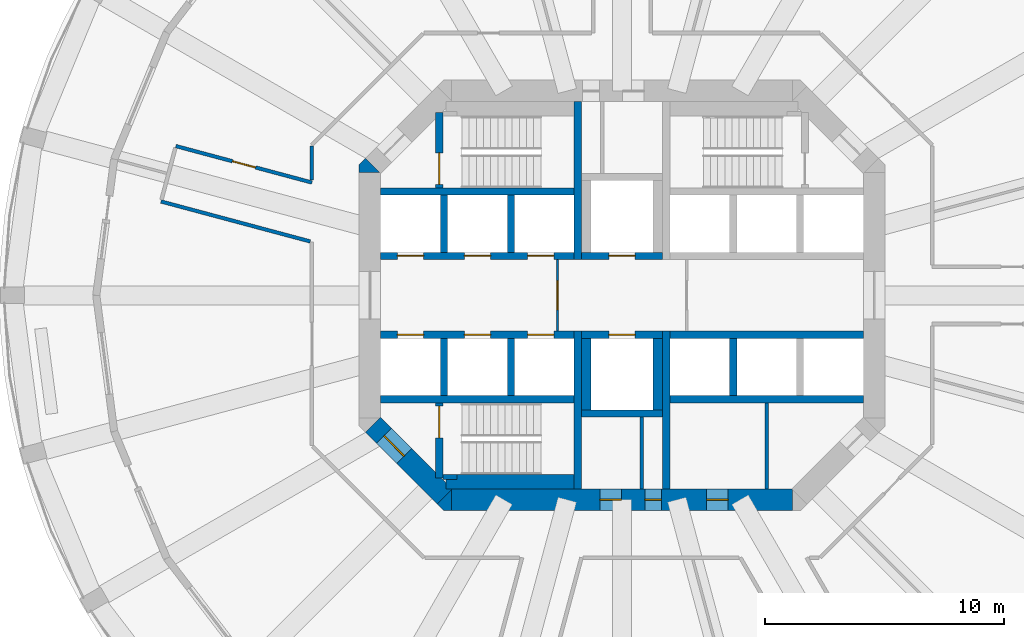
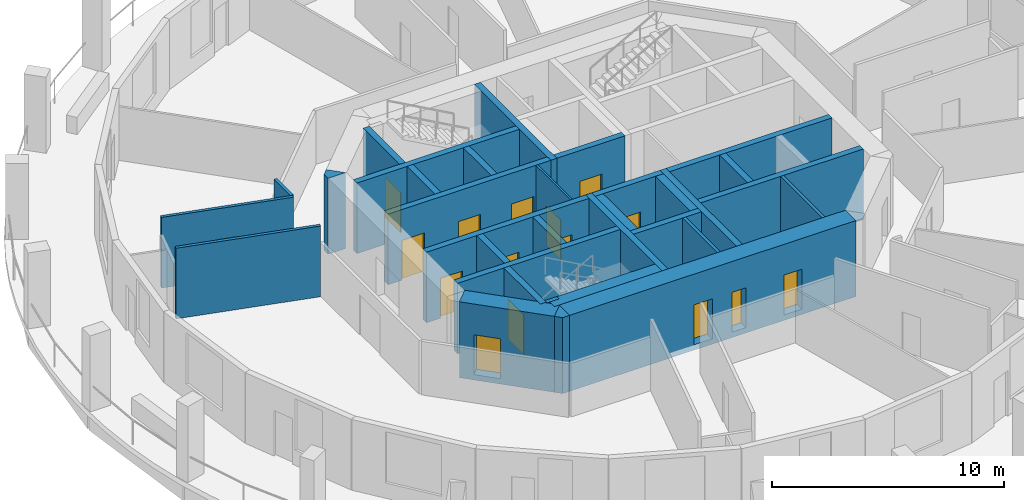
# One storey, part 3 of 8: 33 walls, 16 doors, 16 openings.
"""IFC4 building model written with IfcOpenShell, lengths in metres."""

from ifc_helpers import new_model, si_unit, direction, frame, frame_2d, origin, place, context, subcontext, project, spatial, polyline, rectangle, outline, extrude, material, layer, layer_set, type_object, element, fill, save


model = new_model("IFC4")

# Units and contexts
model_context = context("Model", 3, precision=1e-05, world=origin(), true_north=direction((0.0, 1.0)))
body_context = subcontext(model_context, "Body", "Model", "MODEL_VIEW")
ifc_project = project(units=[si_unit("LENGTHUNIT", "METRE"), si_unit("AREAUNIT", "SQUARE_METRE"), si_unit("VOLUMEUNIT", "CUBIC_METRE"), si_unit("PLANEANGLEUNIT", "RADIAN"), si_unit("MASSUNIT", "GRAM", prefix="KILO")], contexts=[model_context])

# Site, building, storey
site_placement = place(None, origin())
site = spatial("IfcSite", under=ifc_project, at=site_placement, CompositionType="ELEMENT")
building_placement = place(site_placement, origin())
building = spatial("IfcBuilding", under=site, at=building_placement, Name="Torre Triforio", CompositionType="ELEMENT")
storey_placement = place(building_placement, frame((0.0, 0.0, 94.60009765625)))
storey = spatial("IfcBuildingStorey", under=building, at=storey_placement, Name="L20", CompositionType="ELEMENT", Elevation=94.60009765625)

# Walls
ifc_material_1 = material(Name="Concrete C60", Category="concrete")
ifc_layer_1 = layer(ifc_material_1, 0.300048828125)
ifc_layer_set_1 = layer_set([ifc_layer_1], Name="Concrete C60")
wall_type_1 = type_object("IfcWallType", Name="Core wall 300 mm C60 EI 120", PredefinedType="SHEAR", material=ifc_layer_set_1)
for number, where, z_axis, x_axis, name in (
    (1, (-1.85009765625, 1.5, 0.0), (0.0, 0.0, 1.0), (0.0, 1.0, 0.0), "Core wall"),
    (2, (-1.85009765625, -8.10009765625, 0.0), (0.0, 0.0, 1.0), (0.0, 1.0, 0.0), "Core wall"),
    (3, (1.85009765625, -8.10009765625, 0.0), (0.0, 0.0, 1.0), (0.0, 1.0, 0.0), "Core wall"),
):
    element("IfcWall", number, at=place(storey_placement, frame(where, z_axis=z_axis, x_axis=x_axis)), inside=storey, type_object=wall_type_1, Name=name, PredefinedType="SHEAR", context=body_context, shape_type="SweptSolid", body=[
        extrude(rectangle(XDim=6.60009765625, YDim=0.300048828125, at=frame_2d((3.300048828125, 0.0))), origin(), (0.0, 0.0, 1.0), 3.719970703125),
    ])

# Wall, openings, doors
ifc_layer_2 = layer(ifc_material_1, 0.89990234375)
ifc_layer_set_2 = layer_set([ifc_layer_2], Name="Concrete C60")
wall_type_2 = type_object("IfcWallType", Name="Core wall 900 mm C60 EI 120", PredefinedType="SHEAR", material=ifc_layer_set_2)
wall_1_placement = place(storey_placement, frame((-7.1298828125, -8.550048828125, -0.280029296875), z_axis=(0.0, 0.0, 1.0), x_axis=(1.0, 0.0, 0.0)))
wall_1 = element("IfcWall", 4, at=wall_1_placement, inside=storey, type_object=wall_type_2, Name="Core wall", PredefinedType="SHEAR", context=body_context, shape_type="SweptSolid", body=[
    extrude(rectangle(XDim=14.259765625, YDim=0.89990234375, at=frame_2d((7.1298828125, 0.0))), origin(), (0.0, 0.0, 1.0), 4.0),
])
opening_1_placement = place(wall_1_placement, frame((8.080078125, 0.0, 0.280029296875)))
opening_1 = element("IfcOpeningElement", 5, at=opening_1_placement, cuts=wall_1, Name="Opening RISER-S", PredefinedType="OPENING", context=body_context, shape_type="SweptSolid", body=[
    extrude(rectangle(XDim=0.699951171875, YDim=2.10009765625, at=frame_2d((0.35009765625, 1.050048828125))), frame((0.0, 0.4599609375, 0.0), z_axis=(0.0, -1.0, 0.0), x_axis=(1.0, 0.0, 0.0)), (0.0, 0.0, 1.0), 0.919921875),
])
opening_2_placement = place(wall_1_placement, frame((6.205078125, 0.0, 0.280029296875)))
opening_2 = element("IfcOpeningElement", 6, at=opening_2_placement, cuts=wall_1, Name="Opening SW-01B", PredefinedType="OPENING", context=body_context, shape_type="SweptSolid", body=[
    extrude(rectangle(XDim=0.89990234375, YDim=2.10009765625, at=frame_2d((0.449951171875, 1.050048828125))), frame((0.0, 0.4599609375, 0.0), z_axis=(0.0, -1.0, 0.0), x_axis=(1.0, 0.0, 0.0)), (0.0, 0.0, 1.0), 0.919921875),
])
opening_3_placement = place(wall_1_placement, frame((10.66748046875, 0.0, 0.280029296875)))
opening_3 = element("IfcOpeningElement", 7, at=opening_3_placement, cuts=wall_1, Name="Opening SE-01A", PredefinedType="OPENING", context=body_context, shape_type="SweptSolid", body=[
    extrude(rectangle(XDim=0.89990234375, YDim=2.10009765625, at=frame_2d((0.449951171875, 1.050048828125))), frame((0.0, 0.4599609375, 0.0), z_axis=(0.0, -1.0, 0.0), x_axis=(1.0, 0.0, 0.0)), (0.0, 0.0, 1.0), 0.919921875),
])
ifc_material_2 = material(Name="Hollow metal fire door leaf")
door_type_1 = type_object("IfcDoorType", Name="Riser door 700 x 2100 EI 60", OperationType="NOTDEFINED", PredefinedType="DOOR", material=ifc_material_2)
door_1_placement = place(opening_1_placement, origin())
door_1 = element("IfcDoor", 8, at=door_1_placement, inside=storey, type_object=door_type_1, Name="Core door RISER-S", OperationType="SINGLE_SWING_RIGHT", OverallHeight=2.10009765625, OverallWidth=0.699951171875, PredefinedType="DOOR", context=body_context, shape_type="SweptSolid", body=[
    extrude(rectangle(XDim=0.699951171875, YDim=2.10009765625, at=frame_2d((0.35009765625, 1.050048828125))), frame((0.0, 0.02490234375, 0.0), z_axis=(0.0, -1.0, 0.0), x_axis=(1.0, 0.0, 0.0)), (0.0, 0.0, 1.0), 0.050048828125),
])
fill(opening_1, door_1)
door_type_2 = type_object("IfcDoorType", Name="Room door 900 x 2100 EI 60", OperationType="NOTDEFINED", PredefinedType="DOOR", material=ifc_material_2)
door_2_placement = place(opening_2_placement, origin())
door_2 = element("IfcDoor", 9, at=door_2_placement, inside=storey, type_object=door_type_2, Name="Core door SW-01", OperationType="SINGLE_SWING_LEFT", OverallHeight=2.10009765625, OverallWidth=0.89990234375, PredefinedType="DOOR", context=body_context, shape_type="SweptSolid", body=[
    extrude(rectangle(XDim=0.89990234375, YDim=2.10009765625, at=frame_2d((0.449951171875, 1.050048828125))), frame((0.0, 0.02490234375, 0.0), z_axis=(0.0, -1.0, 0.0), x_axis=(1.0, 0.0, 0.0)), (0.0, 0.0, 1.0), 0.050048828125),
])
fill(opening_2, door_2)
door_3_placement = place(opening_3_placement, origin())
door_3 = element("IfcDoor", 10, at=door_3_placement, inside=storey, type_object=door_type_2, Name="Core door SE-01", OperationType="SINGLE_SWING_LEFT", OverallHeight=2.10009765625, OverallWidth=0.89990234375, PredefinedType="DOOR", context=body_context, shape_type="SweptSolid", body=[
    extrude(rectangle(XDim=0.89990234375, YDim=2.10009765625, at=frame_2d((0.449951171875, 1.050048828125))), frame((0.0, 0.02490234375, 0.0), z_axis=(0.0, -1.0, 0.0), x_axis=(1.0, 0.0, 0.0)), (0.0, 0.0, 1.0), 0.050048828125),
])
fill(opening_3, door_3)

# Wall, opening, door
wall_2_placement = place(storey_placement, frame((-7.418212890625, -8.418212890625, -0.280029296875), z_axis=(0.0, 0.0, 1.0), x_axis=(-0.707106781187, 0.707106781187, 0.0)))
wall_2 = element("IfcWall", 11, at=wall_2_placement, inside=storey, type_object=wall_type_2, Name="Core wall", PredefinedType="SHEAR", context=body_context, shape_type="SweptSolid", body=[
    extrude(rectangle(XDim=4.24267578125, YDim=0.89990234375, at=frame_2d((2.121337890625, 0.0))), origin(), (0.0, 0.0, 1.0), 4.0),
])
opening_4_placement = place(wall_2_placement, frame((2.392578125, 0.0, 0.280029296875)))
opening_4 = element("IfcOpeningElement", 12, at=opening_4_placement, cuts=wall_2, Name="Opening ST3-EXIT", PredefinedType="OPENING", context=body_context, shape_type="SweptSolid", body=[
    extrude(rectangle(XDim=1.199951171875, YDim=2.10009765625, at=frame_2d((0.60009765625, 1.050048828125))), frame((0.0, 0.4599609375, 0.0), z_axis=(0.0, -1.0, 0.0), x_axis=(1.0, 0.0, 0.0)), (0.0, 0.0, 1.0), 0.919921875),
])
door_type_3 = type_object("IfcDoorType", Name="Stair lobby door 1200 x 2100 EI 60", OperationType="NOTDEFINED", PredefinedType="DOOR", material=ifc_material_2)
door_4_placement = place(opening_4_placement, origin())
door_4 = element("IfcDoor", 13, at=door_4_placement, inside=storey, type_object=door_type_3, Name="Core door ST3-EXIT", OperationType="SINGLE_SWING_RIGHT", OverallHeight=2.10009765625, OverallWidth=1.199951171875, PredefinedType="DOOR", context=body_context, shape_type="SweptSolid", body=[
    extrude(rectangle(XDim=1.199951171875, YDim=2.10009765625, at=frame_2d((0.60009765625, 1.050048828125))), frame((0.0, 0.02490234375, 0.0), z_axis=(0.0, -1.0, 0.0), x_axis=(1.0, 0.0, 0.0)), (0.0, 0.0, 1.0), 0.050048828125),
])
fill(opening_4, door_4)

# Walls
wall_3_placement = place(storey_placement, frame((0.0, 0.0, -0.280029296875)))
element("IfcWall", 14, at=wall_3_placement, inside=storey, type_object=wall_type_2, Name="Core wall", PredefinedType="SHEAR", context=body_context, shape_type="SweptSolid", body=[
    extrude(outline(polyline([(-7.472900390625, -9.0), (-7.736328125, -8.736328125), (-7.1298828125, -8.1298828125), (-7.1298828125, -9.0), (-7.472900390625, -9.0)])), origin(), (0.0, 0.0, 1.0), 4.0),
])
wall_4_placement = place(storey_placement, frame((0.0, 0.0, -0.280029296875)))
element("IfcWall", 15, at=wall_4_placement, inside=storey, type_object=wall_type_2, Name="Core wall", PredefinedType="SHEAR", context=body_context, shape_type="SweptSolid", body=[
    extrude(outline(polyline([(-10.736328125, 5.736328125), (-10.1298828125, 5.1298828125), (-11.0, 5.1298828125), (-11.0, 5.472900390625), (-10.736328125, 5.736328125)])), origin(), (0.0, 0.0, 1.0), 4.0),
])
ifc_material_3 = material(Name="Plasterboard on metal studs")
ifc_layer_3 = layer(ifc_material_3, 0.14990234375)
ifc_layer_set_3 = layer_set([ifc_layer_3], Name="Plasterboard on metal studs")
wall_type_3 = type_object("IfcWallType", Name="Corridor and tenancy wall 150 mm EI 60", PredefinedType="PARTITIONING", material=ifc_layer_set_3)
wall_5_placement = place(storey_placement, frame((-13.044921875, 2.253173828125, 0.0), z_axis=(0.0, 0.0, 1.0), x_axis=(-0.965934061797, 0.258788307811, 0.0)))
element("IfcWall", 16, at=wall_5_placement, inside=storey, type_object=wall_type_3, Name="Partition 15", PredefinedType="PARTITIONING", context=body_context, shape_type="SweptSolid", body=[
    extrude(rectangle(XDim=6.465087890625, YDim=0.14990234375, at=frame_2d((3.232421875, 0.0))), origin(), (0.0, 0.0, 1.0), 3.719970703125),
])

# Wall, opening, door
wall_6_placement = place(storey_placement, frame((-18.668701171875, 6.24462890625, 0.0), z_axis=(0.0, 0.0, 1.0), x_axis=(0.965924201797, -0.258825107715, 0.0)))
wall_6 = element("IfcWall", 17, at=wall_6_placement, inside=storey, type_object=wall_type_3, Name="Partition 17", PredefinedType="PARTITIONING", context=body_context, shape_type="SweptSolid", body=[
    extrude(rectangle(XDim=5.89453125, YDim=0.14990234375, at=frame_2d((2.947265625, 0.0))), origin(), (0.0, 0.0, 1.0), 3.719970703125),
])
opening_5_placement = place(wall_6_placement, frame((2.447265625, 0.0, 0.0)))
opening_5 = element("IfcOpeningElement", 18, at=opening_5_placement, cuts=wall_6, Name="Opening N6-05", PredefinedType="OPENING", context=body_context, shape_type="SweptSolid", body=[
    extrude(rectangle(XDim=1.0, YDim=2.10009765625, at=frame_2d((0.5, 1.050048828125))), frame((0.0, 0.0849609375, 0.0), z_axis=(0.0, -1.0, 0.0), x_axis=(1.0, 0.0, 0.0)), (0.0, 0.0, 1.0), 0.169921875),
])
ifc_material_4 = material(Name="Timber", Category="wood")
door_type_4 = type_object("IfcDoorType", Name="Door 1000 x 2100 single leaf EI 30", OperationType="NOTDEFINED", PredefinedType="DOOR", material=ifc_material_4)
door_5_placement = place(opening_5_placement, origin())
door_5 = element("IfcDoor", 19, at=door_5_placement, inside=storey, type_object=door_type_4, Name="Door N6-05", OperationType="SINGLE_SWING_RIGHT", OverallHeight=2.10009765625, OverallWidth=1.0, PredefinedType="DOOR", context=body_context, shape_type="SweptSolid", body=[
    extrude(rectangle(XDim=1.0, YDim=2.10009765625, at=frame_2d((0.5, 1.050048828125))), frame((0.0, 0.02490234375, 0.0), z_axis=(0.0, -1.0, 0.0), x_axis=(1.0, 0.0, 0.0)), (0.0, 0.0, 1.0), 0.050048828125),
])
fill(opening_5, door_5)

# Wall
wall_7_placement = place(storey_placement, frame((-12.97509765625, 4.81640625, 0.0), z_axis=(0.0, 0.0, 1.0), x_axis=(0.0, 1.0, 0.0)))
element("IfcWall", 20, at=wall_7_placement, inside=storey, type_object=wall_type_3, Name="Partition 18", PredefinedType="PARTITIONING", context=body_context, shape_type="SweptSolid", body=[
    extrude(rectangle(XDim=1.421875, YDim=0.14990234375, at=frame_2d((0.7109375, 0.0))), origin(), (0.0, 0.0, 1.0), 3.719970703125),
])

# Wall, opening, door
ifc_material_5 = material(Name="Block and board partition")
ifc_layer_4 = layer(ifc_material_5, 0.10009765625)
ifc_layer_set_4 = layer_set([ifc_layer_4], Name="Block and board partition")
wall_type_4 = type_object("IfcWallType", Name="Partition 100 mm EI 120", PredefinedType="PARTITIONING", material=ifc_layer_set_4)
wall_8_placement = place(storey_placement, frame((-2.699951171875, -1.5, 0.0), z_axis=(0.0, 0.0, 1.0), x_axis=(0.0, 1.0, 0.0)))
wall_8 = element("IfcWall", 21, at=wall_8_placement, inside=storey, type_object=wall_type_4, Name="Partition", PredefinedType="PARTITIONING", context=body_context, shape_type="SweptSolid", body=[
    extrude(rectangle(XDim=3.0, YDim=0.10009765625, at=frame_2d((1.5, 0.0))), origin(), (0.0, 0.0, 1.0), 3.719970703125),
])
opening_6_placement = place(wall_8_placement, frame((0.89990234375, 0.0, 0.0)))
opening_6 = element("IfcOpeningElement", 22, at=opening_6_placement, cuts=wall_8, Name="Opening FF-W", PredefinedType="OPENING", context=body_context, shape_type="SweptSolid", body=[
    extrude(rectangle(XDim=1.199951171875, YDim=2.10009765625, at=frame_2d((0.60009765625, 1.050048828125))), frame((0.0, 0.06005859375, 0.0), z_axis=(0.0, -1.0, 0.0), x_axis=(1.0, 0.0, 0.0)), (0.0, 0.0, 1.0), 0.1201171875),
])
door_type_5 = type_object("IfcDoorType", Name="Fire-fighting lobby door 1200 x 2100 EI 60", OperationType="NOTDEFINED", PredefinedType="DOOR", material=ifc_material_2)
door_6_placement = place(opening_6_placement, origin())
door_6 = element("IfcDoor", 23, at=door_6_placement, inside=storey, type_object=door_type_5, Name="Core door FF-W", OperationType="SINGLE_SWING_LEFT", OverallHeight=2.10009765625, OverallWidth=1.199951171875, PredefinedType="DOOR", context=body_context, shape_type="SweptSolid", body=[
    extrude(rectangle(XDim=1.199951171875, YDim=2.10009765625, at=frame_2d((0.60009765625, 1.050048828125))), frame((0.0, 0.02490234375, 0.0), z_axis=(0.0, -1.0, 0.0), x_axis=(1.0, 0.0, 0.0)), (0.0, 0.0, 1.0), 0.050048828125),
])
fill(opening_6, door_6)

# Walls
ifc_layer_5 = layer(ifc_material_5, 0.14990234375)
ifc_layer_set_5 = layer_set([ifc_layer_5], Name="Block and board partition")
wall_type_5 = type_object("IfcWallType", Name="Partition 150 mm", PredefinedType="PARTITIONING", material=ifc_layer_set_5)
wall_9_placement = place(storey_placement, frame((6.050048828125, -8.10009765625, 0.0), z_axis=(0.0, 0.0, 1.0), x_axis=(0.0, 1.0, 0.0)))
element("IfcWall", 24, at=wall_9_placement, inside=storey, type_object=wall_type_5, Name="Partition", PredefinedType="PARTITIONING", context=body_context, shape_type="SweptSolid", body=[
    extrude(rectangle(XDim=3.60009765625, YDim=0.14990234375, at=frame_2d((1.800048828125, 0.0))), origin(), (0.0, 0.0, 1.0), 3.719970703125),
])
ifc_layer_6 = layer(ifc_material_5, 0.14990234375)
ifc_layer_set_6 = layer_set([ifc_layer_6], Name="Block and board partition")
wall_type_6 = type_object("IfcWallType", Name="Partition 150 mm EI 120", PredefinedType="PARTITIONING", material=ifc_layer_set_6)
wall_10_placement = place(storey_placement, frame((0.824951171875, -8.10009765625, 0.0), z_axis=(0.0, 0.0, 1.0), x_axis=(0.0, 1.0, 0.0)))
element("IfcWall", 25, at=wall_10_placement, inside=storey, type_object=wall_type_6, Name="Partition", PredefinedType="PARTITIONING", context=body_context, shape_type="SweptSolid", body=[
    extrude(rectangle(XDim=3.0, YDim=0.14990234375, at=frame_2d((1.5, 0.0))), origin(), (0.0, 0.0, 1.0), 3.719970703125),
])
ifc_layer_7 = layer(ifc_material_1, 0.300048828125)
ifc_layer_set_7 = layer_set([ifc_layer_7], Name="Concrete C60")
wall_type_7 = type_object("IfcWallType", Name="Shaft wall 300 mm C60 EI 120", PredefinedType="SOLIDWALL", material=ifc_layer_set_7)
for number, where, z_axis, x_axis, name in (
    (26, (-10.10009765625, 4.35009765625, 0.0), (0.0, 0.0, 1.0), (1.0, 0.0, 0.0), "Shaft wall"),
    (27, (-10.10009765625, -4.35009765625, 0.0), (0.0, 0.0, 1.0), (1.0, 0.0, 0.0), "Shaft wall"),
    (28, (2.0, -4.35009765625, 0.0), (0.0, 0.0, 1.0), (1.0, 0.0, 0.0), "Shaft wall"),
):
    element("IfcWall", number, at=place(storey_placement, frame(where, z_axis=z_axis, x_axis=x_axis)), inside=storey, type_object=wall_type_7, Name=name, PredefinedType="SOLIDWALL", context=body_context, shape_type="SweptSolid", body=[
        extrude(rectangle(XDim=8.10009765625, YDim=0.300048828125, at=frame_2d((4.050048828125, 0.0))), origin(), (0.0, 0.0, 1.0), 3.719970703125),
    ])

# Wall, openings, doors
wall_11_placement = place(storey_placement, frame((-10.10009765625, 1.64990234375, 0.0), z_axis=(0.0, 0.0, 1.0), x_axis=(1.0, 0.0, 0.0)))
wall_11 = element("IfcWall", 29, at=wall_11_placement, inside=storey, type_object=wall_type_7, Name="Shaft wall", PredefinedType="SOLIDWALL", context=body_context, shape_type="SweptSolid", body=[
    extrude(rectangle(XDim=8.10009765625, YDim=0.300048828125, at=frame_2d((4.050048828125, 0.0))), origin(), (0.0, 0.0, 1.0), 3.719970703125),
])
opening_7_placement = place(wall_11_placement, frame((0.699951171875, 0.0, 0.0)))
opening_7 = element("IfcOpeningElement", 30, at=opening_7_placement, cuts=wall_11, Name="Opening LD", PredefinedType="OPENING", context=body_context, shape_type="SweptSolid", body=[
    extrude(rectangle(XDim=1.10009765625, YDim=2.10009765625, at=frame_2d((0.550048828125, 1.050048828125))), frame((0.0, 0.159912109375, 0.0), z_axis=(0.0, -1.0, 0.0), x_axis=(1.0, 0.0, 0.0)), (0.0, 0.0, 1.0), 0.320068359375),
])
opening_8_placement = place(wall_11_placement, frame((3.5, 0.0, 0.0)))
opening_8 = element("IfcOpeningElement", 31, at=opening_8_placement, cuts=wall_11, Name="Opening LD", PredefinedType="OPENING", context=body_context, shape_type="SweptSolid", body=[
    extrude(rectangle(XDim=1.10009765625, YDim=2.10009765625, at=frame_2d((0.550048828125, 1.050048828125))), frame((0.0, 0.159912109375, 0.0), z_axis=(0.0, -1.0, 0.0), x_axis=(1.0, 0.0, 0.0)), (0.0, 0.0, 1.0), 0.320068359375),
])
opening_9_placement = place(wall_11_placement, frame((6.14990234375, 0.0, 0.0)))
opening_9 = element("IfcOpeningElement", 32, at=opening_9_placement, cuts=wall_11, Name="Opening LD", PredefinedType="OPENING", context=body_context, shape_type="SweptSolid", body=[
    extrude(rectangle(XDim=1.10009765625, YDim=2.10009765625, at=frame_2d((0.550048828125, 1.050048828125))), frame((0.0, 0.159912109375, 0.0), z_axis=(0.0, -1.0, 0.0), x_axis=(1.0, 0.0, 0.0)), (0.0, 0.0, 1.0), 0.320068359375),
])
door_type_6 = type_object("IfcDoorType", Name="Landing door 1100 x 2100 EI 60", OperationType="DOUBLE_DOOR_SLIDING", PredefinedType="DOOR", material=ifc_material_2)
door_7_placement = place(opening_7_placement, origin())
door_7 = element("IfcDoor", 33, at=door_7_placement, inside=storey, type_object=door_type_6, Name="Landing door LR1", OperationType="DOUBLE_DOOR_SLIDING", OverallHeight=2.10009765625, OverallWidth=1.10009765625, PredefinedType="DOOR", context=body_context, shape_type="SweptSolid", body=[
    extrude(rectangle(XDim=1.10009765625, YDim=2.10009765625, at=frame_2d((0.550048828125, 1.050048828125))), frame((0.0, 0.02490234375, 0.0), z_axis=(0.0, -1.0, 0.0), x_axis=(1.0, 0.0, 0.0)), (0.0, 0.0, 1.0), 0.050048828125),
])
fill(opening_7, door_7)
door_8_placement = place(opening_8_placement, origin())
door_8 = element("IfcDoor", 34, at=door_8_placement, inside=storey, type_object=door_type_6, Name="Landing door LR2", OperationType="DOUBLE_DOOR_SLIDING", OverallHeight=2.10009765625, OverallWidth=1.10009765625, PredefinedType="DOOR", context=body_context, shape_type="SweptSolid", body=[
    extrude(rectangle(XDim=1.10009765625, YDim=2.10009765625, at=frame_2d((0.550048828125, 1.050048828125))), frame((0.0, 0.02490234375, 0.0), z_axis=(0.0, -1.0, 0.0), x_axis=(1.0, 0.0, 0.0)), (0.0, 0.0, 1.0), 0.050048828125),
])
fill(opening_8, door_8)
door_9_placement = place(opening_9_placement, origin())
door_9 = element("IfcDoor", 35, at=door_9_placement, inside=storey, type_object=door_type_6, Name="Landing door LR3", OperationType="DOUBLE_DOOR_SLIDING", OverallHeight=2.10009765625, OverallWidth=1.10009765625, PredefinedType="DOOR", context=body_context, shape_type="SweptSolid", body=[
    extrude(rectangle(XDim=1.10009765625, YDim=2.10009765625, at=frame_2d((0.550048828125, 1.050048828125))), frame((0.0, 0.02490234375, 0.0), z_axis=(0.0, -1.0, 0.0), x_axis=(1.0, 0.0, 0.0)), (0.0, 0.0, 1.0), 0.050048828125),
])
fill(opening_9, door_9)

wall_12_placement = place(storey_placement, frame((-10.10009765625, -1.64990234375, 0.0), z_axis=(0.0, 0.0, 1.0), x_axis=(1.0, 0.0, 0.0)))
wall_12 = element("IfcWall", 36, at=wall_12_placement, inside=storey, type_object=wall_type_7, Name="Shaft wall", PredefinedType="SOLIDWALL", context=body_context, shape_type="SweptSolid", body=[
    extrude(rectangle(XDim=8.10009765625, YDim=0.300048828125, at=frame_2d((4.050048828125, 0.0))), origin(), (0.0, 0.0, 1.0), 3.719970703125),
])
opening_10_placement = place(wall_12_placement, frame((0.699951171875, 0.0, 0.0)))
opening_10 = element("IfcOpeningElement", 37, at=opening_10_placement, cuts=wall_12, Name="Opening LD", PredefinedType="OPENING", context=body_context, shape_type="SweptSolid", body=[
    extrude(rectangle(XDim=1.10009765625, YDim=2.10009765625, at=frame_2d((0.550048828125, 1.050048828125))), frame((0.0, 0.159912109375, 0.0), z_axis=(0.0, -1.0, 0.0), x_axis=(1.0, 0.0, 0.0)), (0.0, 0.0, 1.0), 0.320068359375),
])
opening_11_placement = place(wall_12_placement, frame((3.5, 0.0, 0.0)))
opening_11 = element("IfcOpeningElement", 38, at=opening_11_placement, cuts=wall_12, Name="Opening LD", PredefinedType="OPENING", context=body_context, shape_type="SweptSolid", body=[
    extrude(rectangle(XDim=1.10009765625, YDim=2.10009765625, at=frame_2d((0.550048828125, 1.050048828125))), frame((0.0, 0.159912109375, 0.0), z_axis=(0.0, -1.0, 0.0), x_axis=(1.0, 0.0, 0.0)), (0.0, 0.0, 1.0), 0.320068359375),
])
opening_12_placement = place(wall_12_placement, frame((6.14990234375, 0.0, 0.0)))
opening_12 = element("IfcOpeningElement", 39, at=opening_12_placement, cuts=wall_12, Name="Opening LD", PredefinedType="OPENING", context=body_context, shape_type="SweptSolid", body=[
    extrude(rectangle(XDim=1.10009765625, YDim=2.10009765625, at=frame_2d((0.550048828125, 1.050048828125))), frame((0.0, 0.159912109375, 0.0), z_axis=(0.0, -1.0, 0.0), x_axis=(1.0, 0.0, 0.0)), (0.0, 0.0, 1.0), 0.320068359375),
])
door_10_placement = place(opening_10_placement, origin())
door_10 = element("IfcDoor", 40, at=door_10_placement, inside=storey, type_object=door_type_6, Name="Landing door LR4", OperationType="DOUBLE_DOOR_SLIDING", OverallHeight=2.10009765625, OverallWidth=1.10009765625, PredefinedType="DOOR", context=body_context, shape_type="SweptSolid", body=[
    extrude(rectangle(XDim=1.10009765625, YDim=2.10009765625, at=frame_2d((0.550048828125, 1.050048828125))), frame((0.0, 0.02490234375, 0.0), z_axis=(0.0, -1.0, 0.0), x_axis=(1.0, 0.0, 0.0)), (0.0, 0.0, 1.0), 0.050048828125),
])
fill(opening_10, door_10)
door_11_placement = place(opening_11_placement, origin())
door_11 = element("IfcDoor", 41, at=door_11_placement, inside=storey, type_object=door_type_6, Name="Landing door LR5", OperationType="DOUBLE_DOOR_SLIDING", OverallHeight=2.10009765625, OverallWidth=1.10009765625, PredefinedType="DOOR", context=body_context, shape_type="SweptSolid", body=[
    extrude(rectangle(XDim=1.10009765625, YDim=2.10009765625, at=frame_2d((0.550048828125, 1.050048828125))), frame((0.0, 0.02490234375, 0.0), z_axis=(0.0, -1.0, 0.0), x_axis=(1.0, 0.0, 0.0)), (0.0, 0.0, 1.0), 0.050048828125),
])
fill(opening_11, door_11)
door_12_placement = place(opening_12_placement, origin())
door_12 = element("IfcDoor", 42, at=door_12_placement, inside=storey, type_object=door_type_6, Name="Landing door LR6", OperationType="DOUBLE_DOOR_SLIDING", OverallHeight=2.10009765625, OverallWidth=1.10009765625, PredefinedType="DOOR", context=body_context, shape_type="SweptSolid", body=[
    extrude(rectangle(XDim=1.10009765625, YDim=2.10009765625, at=frame_2d((0.550048828125, 1.050048828125))), frame((0.0, 0.02490234375, 0.0), z_axis=(0.0, -1.0, 0.0), x_axis=(1.0, 0.0, 0.0)), (0.0, 0.0, 1.0), 0.050048828125),
])
fill(opening_12, door_12)

# Walls
wall_13_placement = place(storey_placement, frame((2.0, -1.64990234375, 0.0), z_axis=(0.0, 0.0, 1.0), x_axis=(1.0, 0.0, 0.0)))
element("IfcWall", 43, at=wall_13_placement, inside=storey, type_object=wall_type_7, Name="Shaft wall", PredefinedType="SOLIDWALL", context=body_context, shape_type="SweptSolid", body=[
    extrude(rectangle(XDim=8.10009765625, YDim=0.300048828125, at=frame_2d((4.050048828125, 0.0))), origin(), (0.0, 0.0, 1.0), 3.719970703125),
])
for number, where, z_axis, x_axis, name in (
    (44, (-7.449951171875, 1.800048828125, 0.0), (0.0, 0.0, 1.0), (0.0, 1.0, 0.0), "Shaft wall"),
    (45, (-7.449951171875, -4.199951171875, 0.0), (0.0, 0.0, 1.0), (0.0, 1.0, 0.0), "Shaft wall"),
    (46, (-4.64990234375, 1.800048828125, 0.0), (0.0, 0.0, 1.0), (0.0, 1.0, 0.0), "Shaft wall"),
    (47, (-4.64990234375, -4.199951171875, 0.0), (0.0, 0.0, 1.0), (0.0, 1.0, 0.0), "Shaft wall"),
    (48, (4.64990234375, -4.199951171875, 0.0), (0.0, 0.0, 1.0), (0.0, 1.0, 0.0), "Shaft wall"),
):
    element("IfcWall", number, at=place(storey_placement, frame(where, z_axis=z_axis, x_axis=x_axis)), inside=storey, type_object=wall_type_7, Name=name, PredefinedType="SOLIDWALL", context=body_context, shape_type="SweptSolid", body=[
        extrude(rectangle(XDim=2.39990234375, YDim=0.300048828125, at=frame_2d((1.199951171875, 0.0))), origin(), (0.0, 0.0, 1.0), 3.719970703125),
    ])

# Wall, opening, door
wall_14_placement = place(storey_placement, frame((-1.699951171875, 1.64990234375, 0.0), z_axis=(0.0, 0.0, 1.0), x_axis=(1.0, 0.0, 0.0)))
wall_14 = element("IfcWall", 49, at=wall_14_placement, inside=storey, type_object=wall_type_7, Name="Shaft wall", PredefinedType="SOLIDWALL", context=body_context, shape_type="SweptSolid", body=[
    extrude(rectangle(XDim=3.39990234375, YDim=0.300048828125, at=frame_2d((1.699951171875, 0.0))), origin(), (0.0, 0.0, 1.0), 3.719970703125),
])
opening_13_placement = place(wall_14_placement, frame((1.14990234375, 0.0, 0.0)))
opening_13 = element("IfcOpeningElement", 50, at=opening_13_placement, cuts=wall_14, Name="Opening LD", PredefinedType="OPENING", context=body_context, shape_type="SweptSolid", body=[
    extrude(rectangle(XDim=1.10009765625, YDim=2.10009765625, at=frame_2d((0.550048828125, 1.050048828125))), frame((0.0, 0.159912109375, 0.0), z_axis=(0.0, -1.0, 0.0), x_axis=(1.0, 0.0, 0.0)), (0.0, 0.0, 1.0), 0.320068359375),
])
door_13_placement = place(opening_13_placement, origin())
door_13 = element("IfcDoor", 51, at=door_13_placement, inside=storey, type_object=door_type_6, Name="Landing door FFL1", OperationType="DOUBLE_DOOR_SLIDING", OverallHeight=2.10009765625, OverallWidth=1.10009765625, PredefinedType="DOOR", context=body_context, shape_type="SweptSolid", body=[
    extrude(rectangle(XDim=1.10009765625, YDim=2.10009765625, at=frame_2d((0.550048828125, 1.050048828125))), frame((0.0, 0.02490234375, 0.0), z_axis=(0.0, -1.0, 0.0), x_axis=(1.0, 0.0, 0.0)), (0.0, 0.0, 1.0), 0.050048828125),
])
fill(opening_13, door_13)

wall_15_placement = place(storey_placement, frame((-1.699951171875, -1.64990234375, 0.0), z_axis=(0.0, 0.0, 1.0), x_axis=(1.0, 0.0, 0.0)))
wall_15 = element("IfcWall", 52, at=wall_15_placement, inside=storey, type_object=wall_type_7, Name="Shaft wall", PredefinedType="SOLIDWALL", context=body_context, shape_type="SweptSolid", body=[
    extrude(rectangle(XDim=3.39990234375, YDim=0.300048828125, at=frame_2d((1.699951171875, 0.0))), origin(), (0.0, 0.0, 1.0), 3.719970703125),
])
opening_14_placement = place(wall_15_placement, frame((1.14990234375, 0.0, 0.0)))
opening_14 = element("IfcOpeningElement", 53, at=opening_14_placement, cuts=wall_15, Name="Opening LD", PredefinedType="OPENING", context=body_context, shape_type="SweptSolid", body=[
    extrude(rectangle(XDim=1.10009765625, YDim=2.10009765625, at=frame_2d((0.550048828125, 1.050048828125))), frame((0.0, 0.159912109375, 0.0), z_axis=(0.0, -1.0, 0.0), x_axis=(1.0, 0.0, 0.0)), (0.0, 0.0, 1.0), 0.320068359375),
])
door_14_placement = place(opening_14_placement, origin())
door_14 = element("IfcDoor", 54, at=door_14_placement, inside=storey, type_object=door_type_6, Name="Landing door FFL2", OperationType="DOUBLE_DOOR_SLIDING", OverallHeight=2.10009765625, OverallWidth=1.10009765625, PredefinedType="DOOR", context=body_context, shape_type="SweptSolid", body=[
    extrude(rectangle(XDim=1.10009765625, YDim=2.10009765625, at=frame_2d((0.550048828125, 1.050048828125))), frame((0.0, 0.02490234375, 0.0), z_axis=(0.0, -1.0, 0.0), x_axis=(1.0, 0.0, 0.0)), (0.0, 0.0, 1.0), 0.050048828125),
])
fill(opening_14, door_14)

# Walls
wall_16_placement = place(storey_placement, frame((-1.699951171875, -4.949951171875, 0.0), z_axis=(0.0, 0.0, 1.0), x_axis=(1.0, 0.0, 0.0)))
element("IfcWall", 55, at=wall_16_placement, inside=storey, type_object=wall_type_7, Name="Shaft wall", PredefinedType="SOLIDWALL", context=body_context, shape_type="SweptSolid", body=[
    extrude(rectangle(XDim=3.39990234375, YDim=0.300048828125, at=frame_2d((1.699951171875, 0.0))), origin(), (0.0, 0.0, 1.0), 3.719970703125),
])
ifc_layer_8 = layer(ifc_material_1, 0.39990234375)
ifc_layer_set_8 = layer_set([ifc_layer_8], Name="Concrete C60")
wall_type_8 = type_object("IfcWallType", Name="Shaft wall 400 mm C60 EI 120", PredefinedType="SOLIDWALL", material=ifc_layer_set_8)
for number, where, z_axis, x_axis, name in (
    (56, (-1.5, -4.800048828125, 0.0), (0.0, 0.0, 1.0), (0.0, 1.0, 0.0), "Shaft wall"),
    (57, (1.5, -4.800048828125, 0.0), (0.0, 0.0, 1.0), (0.0, 1.0, 0.0), "Shaft wall"),
):
    element("IfcWall", number, at=place(storey_placement, frame(where, z_axis=z_axis, x_axis=x_axis)), inside=storey, type_object=wall_type_8, Name=name, PredefinedType="SOLIDWALL", context=body_context, shape_type="SweptSolid", body=[
        extrude(rectangle(XDim=3.0, YDim=0.39990234375, at=frame_2d((1.5, 0.0))), origin(), (0.0, 0.0, 1.0), 3.719970703125),
    ])
ifc_layer_9 = layer(ifc_material_1, 0.199951171875)
ifc_layer_set_9 = layer_set([ifc_layer_9], Name="Concrete C60")
wall_type_9 = type_object("IfcWallType", Name="Stair wall 200 mm C60 EI 120", PredefinedType="SHEAR", material=ifc_layer_set_9)
wall_17_placement = place(storey_placement, frame((-7.5, -7.60009765625, 0.0), z_axis=(0.0, 0.0, 1.0), x_axis=(1.0, 0.0, 0.0)))
element("IfcWall", 58, at=wall_17_placement, inside=storey, type_object=wall_type_9, Name="Stair wall", PredefinedType="SHEAR", context=body_context, shape_type="SweptSolid", body=[
    extrude(rectangle(XDim=0.60009765625, YDim=0.199951171875, at=frame_2d((0.300048828125, 0.0))), origin(), (0.0, 0.0, 1.0), 3.719970703125),
])

# Wall, opening, door
ifc_layer_10 = layer(ifc_material_1, 0.300048828125)
ifc_layer_set_10 = layer_set([ifc_layer_10], Name="Concrete C60")
wall_type_10 = type_object("IfcWallType", Name="Stair wall 300 mm C60 EI 120", PredefinedType="SHEAR", material=ifc_layer_set_10)
wall_18_placement = place(storey_placement, frame((-7.64990234375, 4.5, 0.0), z_axis=(0.0, 0.0, 1.0), x_axis=(0.0, 1.0, 0.0)))
wall_18 = element("IfcWall", 59, at=wall_18_placement, inside=storey, type_object=wall_type_10, Name="Stair wall", PredefinedType="SHEAR", context=body_context, shape_type="SweptSolid", body=[
    extrude(rectangle(XDim=3.139892578125, YDim=0.300048828125, at=frame_2d((1.56982421875, 0.0))), origin(), (0.0, 0.0, 1.0), 3.719970703125),
])
opening_15_placement = place(wall_18_placement, frame((0.139892578125, 0.0, 0.0)))
opening_15 = element("IfcOpeningElement", 60, at=opening_15_placement, cuts=wall_18, Name="Opening ST1-STA", PredefinedType="OPENING", context=body_context, shape_type="SweptSolid", body=[
    extrude(rectangle(XDim=1.320068359375, YDim=2.10009765625, at=frame_2d((0.66015625, 1.050048828125))), frame((0.0, 0.159912109375, 0.0), z_axis=(0.0, -1.0, 0.0), x_axis=(1.0, 0.0, 0.0)), (0.0, 0.0, 1.0), 0.320068359375),
])
door_type_7 = type_object("IfcDoorType", Name="Stair door 1320 x 2100 EI 90", OperationType="DOUBLE_DOOR_SINGLE_SWING", PredefinedType="DOOR", material=ifc_material_2)
door_15_placement = place(opening_15_placement, origin())
door_15 = element("IfcDoor", 61, at=door_15_placement, inside=storey, type_object=door_type_7, Name="Core door ST1-ST", OperationType="DOUBLE_DOOR_SINGLE_SWING", OverallHeight=2.10009765625, OverallWidth=1.320068359375, PredefinedType="DOOR", context=body_context, shape_type="SweptSolid", body=[
    extrude(rectangle(XDim=1.320068359375, YDim=2.10009765625, at=frame_2d((0.66015625, 1.050048828125))), frame((0.0, 0.02490234375, 0.0), z_axis=(0.0, -1.0, 0.0), x_axis=(1.0, 0.0, 0.0)), (0.0, 0.0, 1.0), 0.050048828125),
])
fill(opening_15, door_15)

wall_19_placement = place(storey_placement, frame((-7.64990234375, -7.639892578125, 0.0), z_axis=(0.0, 0.0, 1.0), x_axis=(0.0, 1.0, 0.0)))
wall_19 = element("IfcWall", 62, at=wall_19_placement, inside=storey, type_object=wall_type_10, Name="Stair wall", PredefinedType="SHEAR", context=body_context, shape_type="SweptSolid", body=[
    extrude(rectangle(XDim=3.139892578125, YDim=0.300048828125, at=frame_2d((1.56982421875, 0.0))), origin(), (0.0, 0.0, 1.0), 3.719970703125),
])
opening_16_placement = place(wall_19_placement, frame((1.679931640625, 0.0, 0.0)))
opening_16 = element("IfcOpeningElement", 63, at=opening_16_placement, cuts=wall_19, Name="Opening ST3-STA", PredefinedType="OPENING", context=body_context, shape_type="SweptSolid", body=[
    extrude(rectangle(XDim=1.320068359375, YDim=2.10009765625, at=frame_2d((0.66015625, 1.050048828125))), frame((0.0, 0.159912109375, 0.0), z_axis=(0.0, -1.0, 0.0), x_axis=(1.0, 0.0, 0.0)), (0.0, 0.0, 1.0), 0.320068359375),
])
door_16_placement = place(opening_16_placement, origin())
door_16 = element("IfcDoor", 64, at=door_16_placement, inside=storey, type_object=door_type_7, Name="Core door ST3-ST", OperationType="DOUBLE_DOOR_SINGLE_SWING", OverallHeight=2.10009765625, OverallWidth=1.320068359375, PredefinedType="DOOR", context=body_context, shape_type="SweptSolid", body=[
    extrude(rectangle(XDim=1.320068359375, YDim=2.10009765625, at=frame_2d((0.66015625, 1.050048828125))), frame((0.0, 0.02490234375, 0.0), z_axis=(0.0, -1.0, 0.0), x_axis=(1.0, 0.0, 0.0)), (0.0, 0.0, 1.0), 0.050048828125),
])
fill(opening_16, door_16)

# Wall
ifc_layer_11 = layer(ifc_material_1, 0.60009765625)
ifc_layer_set_11 = layer_set([ifc_layer_11], Name="Concrete C60")
wall_type_11 = type_object("IfcWallType", Name="Stair wall 600 mm C60 EI 120", PredefinedType="SHEAR", material=ifc_layer_set_11)
wall_20_placement = place(storey_placement, frame((-7.3701171875, -7.800048828125, 0.0), z_axis=(0.0, 0.0, 1.0), x_axis=(1.0, 0.0, 0.0)))
element("IfcWall", 65, at=wall_20_placement, inside=storey, type_object=wall_type_11, Name="Stair wall", PredefinedType="SHEAR", context=body_context, shape_type="SweptSolid", body=[
    extrude(rectangle(XDim=5.3701171875, YDim=0.60009765625, at=frame_2d((2.68505859375, 0.0))), origin(), (0.0, 0.0, 1.0), 3.719970703125),
])

save(model, "model.ifc")
